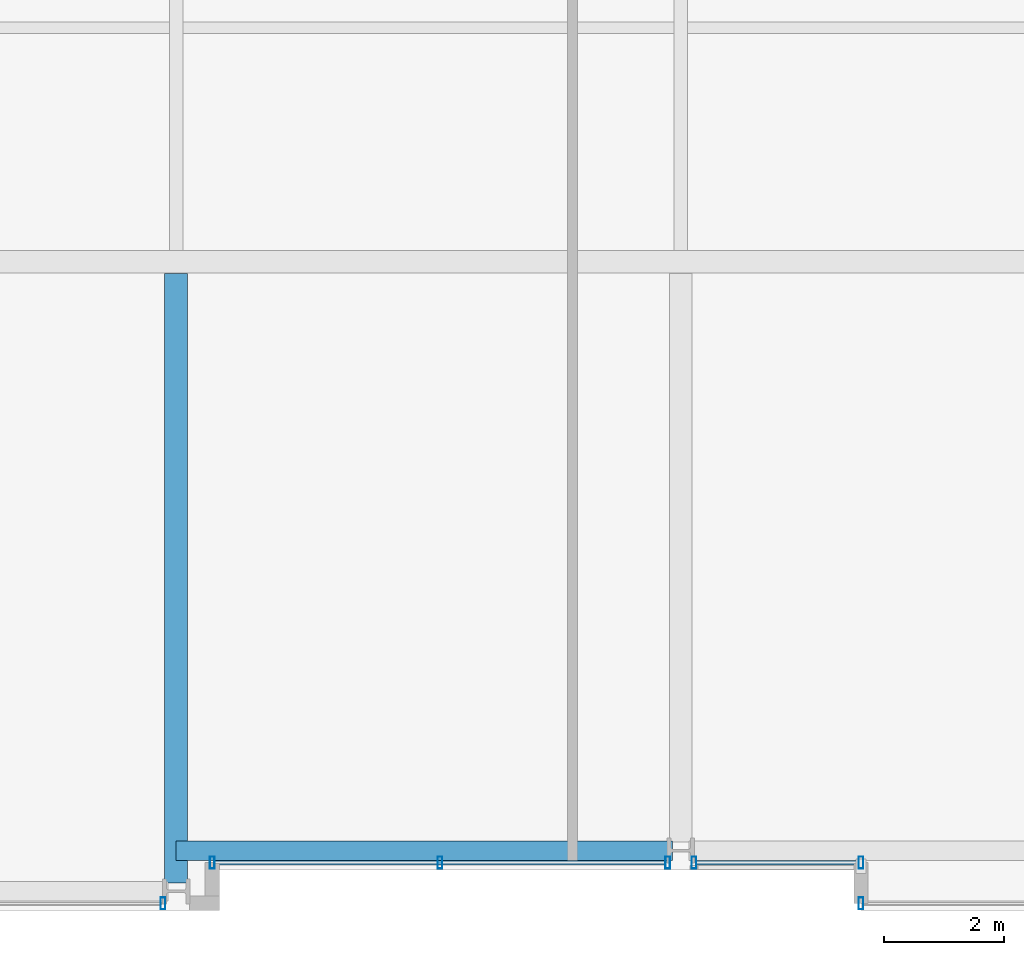
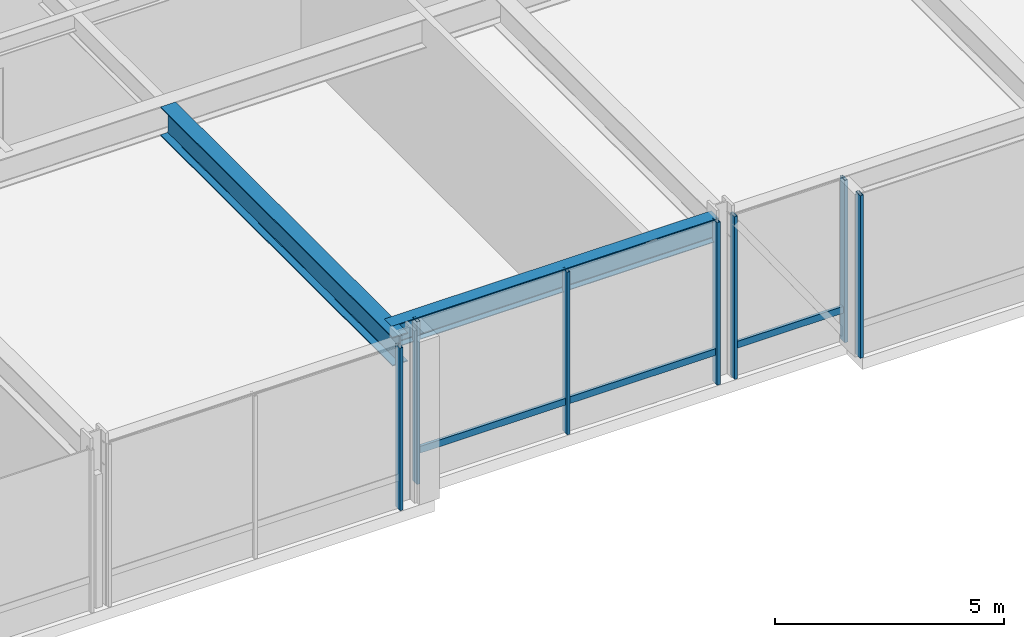
# One storey, part 5 of 33: 9 members, 2 beams, 4 elements without a shape of their own.
"""IFC4 building model written with IfcOpenShell, lengths in metres."""

from ifc_helpers import new_model, si_unit, direction, frame, origin, origin_2d, place, context, subcontext, project, spatial, hollow_rectangle, i_section, extrude, material, layer, layer_set, material_profile, profile_set, type_object, element, aggregate, save


model = new_model("IFC4")

# Units and contexts
model_context = context("Model", 3, precision=1e-05, world=origin(), true_north=direction((0.0, 1.0)))
body_context = subcontext(model_context, "Body", "Model", "MODEL_VIEW")
ifc_project = project(units=[si_unit("LENGTHUNIT", "METRE"), si_unit("AREAUNIT", "SQUARE_METRE"), si_unit("VOLUMEUNIT", "CUBIC_METRE"), si_unit("PLANEANGLEUNIT", "RADIAN"), si_unit("MASSUNIT", "GRAM", prefix="KILO")], contexts=[model_context])

# Site, building, storey
site_placement = place(None, origin())
site = spatial("IfcSite", under=ifc_project, at=site_placement, CompositionType="ELEMENT")
building_placement = place(site_placement, origin())
building = spatial("IfcBuilding", under=site, at=building_placement, Name="Drelvath Grand Hotel", CompositionType="ELEMENT")
storey_placement = place(building_placement, frame((0.0, 0.0, 87.199951171875)))
storey = spatial("IfcBuildingStorey", under=building, at=storey_placement, Name="L21", CompositionType="ELEMENT", Elevation=87.199951171875)

# Curtain wall, member
ifc_material_1 = material(Name="Champagne Bronze Anodised Aluminium Frame", Category="aluminium")
ifc_layer = layer(ifc_material_1, 0.199951171875)
ifc_layer_set = layer_set([ifc_layer], Name="Champagne Bronze Anodised Aluminium Frame")
curtain_wall_type = type_object("IfcCurtainWallType", Name="Stick Curtain Wall CW-03 Champagne Bronze Mid-Rise", PredefinedType="NOTDEFINED", material=ifc_layer_set)
curtain_wall_1_placement = place(storey_placement, origin())
curtain_wall_1 = element("IfcCurtainWall", 1, at=curtain_wall_1_placement, inside=storey, type_object=curtain_wall_type, Name="L21 CW-03 Curtain Wall CW03-L21-SM1", PredefinedType="NOTDEFINED")
ifc_material_profile_1 = material_profile(ifc_material_1, hollow_rectangle(XDim=0.074951171875, YDim=0.179931640625, WallThickness=0.0048828125, at=origin_2d()), Name="HSS180X75X5")
ifc_profile_set_1 = profile_set([ifc_material_profile_1], Name="Champagne Bronze Anodised Aluminium Frame")
member_type_1 = type_object("IfcMemberType", Name="Curtain Wall Horizontal Transom CW-03 HSS180X75X5", PredefinedType="USERDEFINED", material=ifc_profile_set_1)
member_1_placement = place(storey_placement, frame((-0.259521484375, 0.800048828125, 0.85009765625), z_axis=(-1.0, 0.0, 0.0), x_axis=(0.0, -1.0, 0.0)))
member_1 = element("IfcMember", 2, at=member_1_placement, type_object=member_type_1, Name="CW03-L21-SM1 Sill Transom", ObjectType="TRANSOM", PredefinedType="USERDEFINED", context=body_context, shape_type="SweptSolid", body=[
    extrude(hollow_rectangle(XDim=0.074951171875, YDim=0.179931640625, WallThickness=0.0048828125, at=origin_2d()), origin(), (0.0, 0.0, 1.0), 7.50048828125),
])

curtain_wall_2_placement = place(storey_placement, origin())
curtain_wall_2 = element("IfcCurtainWall", 3, at=curtain_wall_2_placement, inside=storey, type_object=curtain_wall_type, Name="L21 CW-03 Curtain Wall CW03-L21-SM2", PredefinedType="NOTDEFINED")
member_2_placement = place(storey_placement, frame((2.9599609375, 0.800048828125, 0.85009765625), z_axis=(-1.0, 0.0, 0.0), x_axis=(0.0, -1.0, 0.0)))
member_2 = element("IfcMember", 4, at=member_2_placement, type_object=member_type_1, Name="CW03-L21-SM2 Sill Transom", ObjectType="TRANSOM", PredefinedType="USERDEFINED", context=body_context, shape_type="SweptSolid", body=[
    extrude(hollow_rectangle(XDim=0.074951171875, YDim=0.179931640625, WallThickness=0.0048828125, at=origin_2d()), origin(), (0.0, 0.0, 1.0), 2.700439453125),
])

curtain_wall_3_placement = place(storey_placement, origin())
curtain_wall_3 = element("IfcCurtainWall", 5, at=curtain_wall_3_placement, inside=storey, type_object=curtain_wall_type, Name="L21 CW-03 Curtain Wall CW03-L21-SE1", PredefinedType="NOTDEFINED")
ifc_material_profile_2 = material_profile(ifc_material_1, hollow_rectangle(XDim=0.080078125, YDim=0.199951171875, WallThickness=0.0048828125, at=origin_2d()), Name="HSS200X80X5")
ifc_profile_set_2 = profile_set([ifc_material_profile_2], Name="Champagne Bronze Anodised Aluminium Frame")
member_type_2 = type_object("IfcMemberType", Name="Curtain Wall Vertical Mullion CW-03 HSS200X80X5", PredefinedType="MULLION", material=ifc_profile_set_2)
member_3_placement = place(storey_placement, frame((3.0, 0.1201171875, 0.0), z_axis=(0.0, 0.0, 1.0), x_axis=(1.0, 0.0, 0.0)))
member_3 = element("IfcMember", 6, at=member_3_placement, type_object=member_type_2, Name="CW03-L21-SE1 Mullion 2", PredefinedType="MULLION", context=body_context, shape_type="SweptSolid", body=[
    extrude(hollow_rectangle(XDim=0.080078125, YDim=0.199951171875, WallThickness=0.0048828125, at=origin_2d()), origin(), (0.0, 0.0, 1.0), 4.340087890625),
])
aggregate(curtain_wall_3, [member_3])

# Member
member_4_placement = place(storey_placement, frame((-0.219482421875, 0.800048828125, 0.0), z_axis=(0.0, 0.0, 1.0), x_axis=(1.0, 0.0, 0.0)))
member_4 = element("IfcMember", 7, at=member_4_placement, type_object=member_type_2, Name="CW03-L21-SM1 Mullion 1", PredefinedType="MULLION", context=body_context, shape_type="SweptSolid", body=[
    extrude(hollow_rectangle(XDim=0.080078125, YDim=0.199951171875, WallThickness=0.0048828125, at=origin_2d()), origin(), (0.0, 0.0, 1.0), 4.340087890625),
])

member_5_placement = place(storey_placement, frame((-4.009765625, 0.800048828125, 0.0), z_axis=(0.0, 0.0, 1.0), x_axis=(1.0, 0.0, 0.0)))
member_5 = element("IfcMember", 8, at=member_5_placement, type_object=member_type_2, Name="CW03-L21-SM1 Mullion 2", PredefinedType="MULLION", context=body_context, shape_type="SweptSolid", body=[
    extrude(hollow_rectangle(XDim=0.080078125, YDim=0.199951171875, WallThickness=0.0048828125, at=origin_2d()), origin(), (0.0, 0.0, 1.0), 4.340087890625),
])

member_6_placement = place(storey_placement, frame((-7.800048828125, 0.800048828125, 0.0), z_axis=(0.0, 0.0, 1.0), x_axis=(1.0, 0.0, 0.0)))
member_6 = element("IfcMember", 9, at=member_6_placement, type_object=member_type_2, Name="CW03-L21-SM1 Mullion 3", PredefinedType="MULLION", context=body_context, shape_type="SweptSolid", body=[
    extrude(hollow_rectangle(XDim=0.080078125, YDim=0.199951171875, WallThickness=0.0048828125, at=origin_2d()), origin(), (0.0, 0.0, 1.0), 4.340087890625),
])

aggregate(curtain_wall_1, [member_4, member_5, member_6, member_1])

member_7_placement = place(storey_placement, frame((3.0, 0.800048828125, 0.0), z_axis=(0.0, 0.0, 1.0), x_axis=(1.0, 0.0, 0.0)))
member_7 = element("IfcMember", 10, at=member_7_placement, type_object=member_type_2, Name="CW03-L21-SM2 Mullion 1", PredefinedType="MULLION", context=body_context, shape_type="SweptSolid", body=[
    extrude(hollow_rectangle(XDim=0.080078125, YDim=0.199951171875, WallThickness=0.0048828125, at=origin_2d()), origin(), (0.0, 0.0, 1.0), 4.340087890625),
])

member_8_placement = place(storey_placement, frame((0.219482421875, 0.800048828125, 0.0), z_axis=(0.0, 0.0, 1.0), x_axis=(1.0, 0.0, 0.0)))
member_8 = element("IfcMember", 11, at=member_8_placement, type_object=member_type_2, Name="CW03-L21-SM2 Mullion 2", PredefinedType="MULLION", context=body_context, shape_type="SweptSolid", body=[
    extrude(hollow_rectangle(XDim=0.080078125, YDim=0.199951171875, WallThickness=0.0048828125, at=origin_2d()), origin(), (0.0, 0.0, 1.0), 4.340087890625),
])

aggregate(curtain_wall_2, [member_7, member_8, member_2])

# Curtain wall, member
curtain_wall_4_placement = place(storey_placement, origin())
curtain_wall_4 = element("IfcCurtainWall", 12, at=curtain_wall_4_placement, inside=storey, type_object=curtain_wall_type, Name="L21 CW-03 Curtain Wall CW03-L21-SW2", PredefinedType="NOTDEFINED")
member_9_placement = place(storey_placement, frame((-8.61962890625, 0.1201171875, 0.0), z_axis=(0.0, 0.0, 1.0), x_axis=(1.0, 0.0, 0.0)))
member_9 = element("IfcMember", 13, at=member_9_placement, type_object=member_type_2, Name="CW03-L21-SW2 Mullion 1", PredefinedType="MULLION", context=body_context, shape_type="SweptSolid", body=[
    extrude(hollow_rectangle(XDim=0.080078125, YDim=0.199951171875, WallThickness=0.0048828125, at=origin_2d()), origin(), (0.0, 0.0, 1.0), 4.340087890625),
])
aggregate(curtain_wall_4, [member_9])

# Beams
ifc_material_2 = material(Name="Steel ASTM A992 Gr 50", Category="steel")
ifc_material_profile_3 = material_profile(ifc_material_2, i_section(OverallWidth=0.323974609375, OverallDepth=0.611083984375, WebThickness=0.0126953125, FlangeThickness=0.01904296875, FilletRadius=0.02197265625, at=origin_2d()), Name="W24X104")
ifc_profile_set_3 = profile_set([ifc_material_profile_3], Name="Steel ASTM A992 Gr 50")
beam_type_1 = type_object("IfcBeamType", Name="Perimeter Spandrel Beam W24X104", PredefinedType="SPANDREL", material=ifc_profile_set_3)
beam_1_placement = place(storey_placement, frame((-8.39990234375, 1.0, 4.03466796875), z_axis=(1.0, 0.0, 0.0), x_axis=(0.0, 1.0, 0.0)))
element("IfcBeam", 14, at=beam_1_placement, inside=storey, type_object=beam_type_1, Name="L21 Spandrel South Mid W", PredefinedType="SPANDREL", context=body_context, shape_type="SweptSolid", body=[
    extrude(i_section(OverallWidth=0.323974609375, OverallDepth=0.611083984375, WebThickness=0.0126953125, FlangeThickness=0.01904296875, FilletRadius=0.02197265625, at=origin_2d()), origin(), (0.0, 0.0, 1.0), 8.260009765625),
])
ifc_material_profile_4 = material_profile(ifc_material_2, i_section(OverallWidth=0.380615234375, OverallDepth=0.773193359375, WebThickness=0.0166015625, FlangeThickness=0.027099609375, FilletRadius=0.02490234375, at=origin_2d()), Name="W30X173")
ifc_profile_set_4 = profile_set([ifc_material_profile_4], Name="Steel ASTM A992 Gr 50")
beam_type_2 = type_object("IfcBeamType", Name="Primary Floor Girder W30X173", PredefinedType="BEAM", material=ifc_profile_set_4)
beam_2_placement = place(storey_placement, frame((-8.39990234375, 0.4599609375, 3.953369140625), z_axis=(0.0, 1.0, 0.0), x_axis=(-1.0, 0.0, 0.0)))
element("IfcBeam", 15, at=beam_2_placement, inside=storey, type_object=beam_type_2, Name="L21 South Wing Girder 4", PredefinedType="BEAM", context=body_context, shape_type="SweptSolid", body=[
    extrude(i_section(OverallWidth=0.380615234375, OverallDepth=0.773193359375, WebThickness=0.0166015625, FlangeThickness=0.027099609375, FilletRadius=0.02490234375, at=origin_2d()), origin(), (0.0, 0.0, 1.0), 10.149658203125),
])

save(model, "model.ifc")
